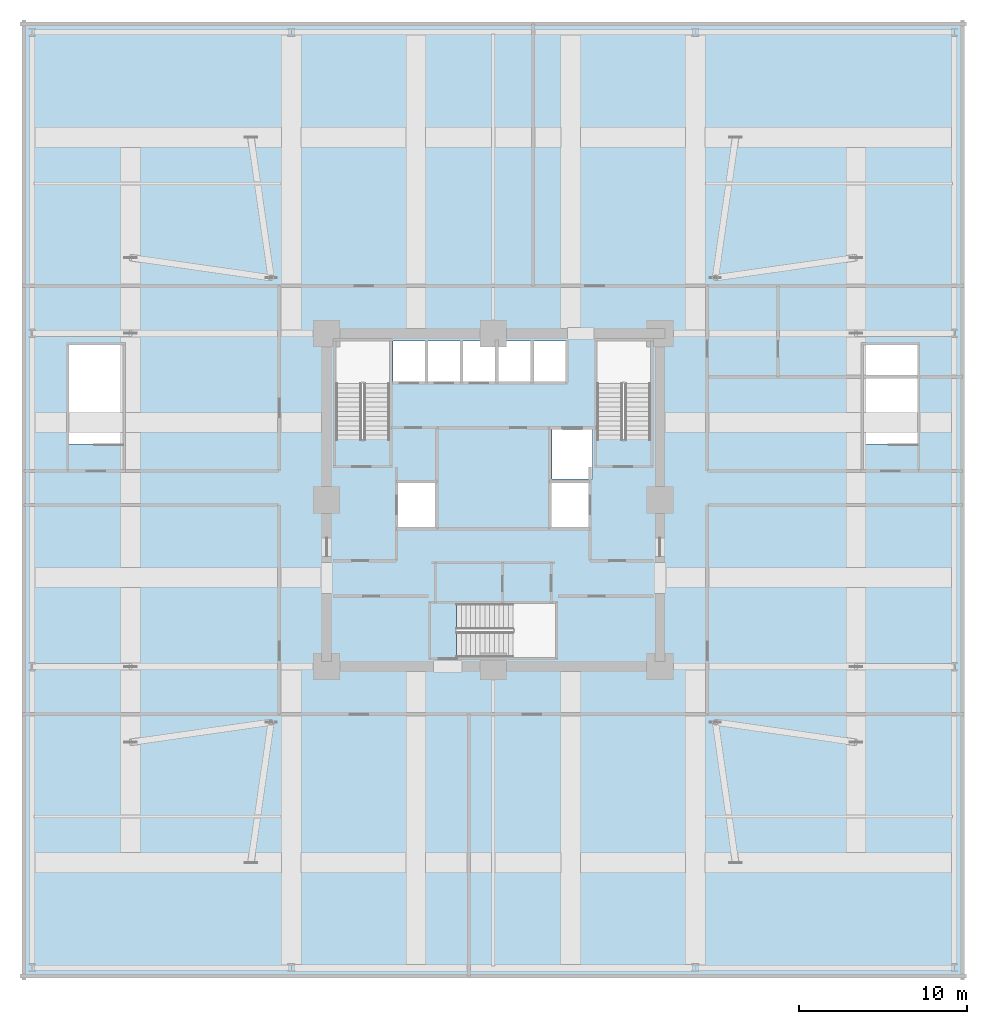
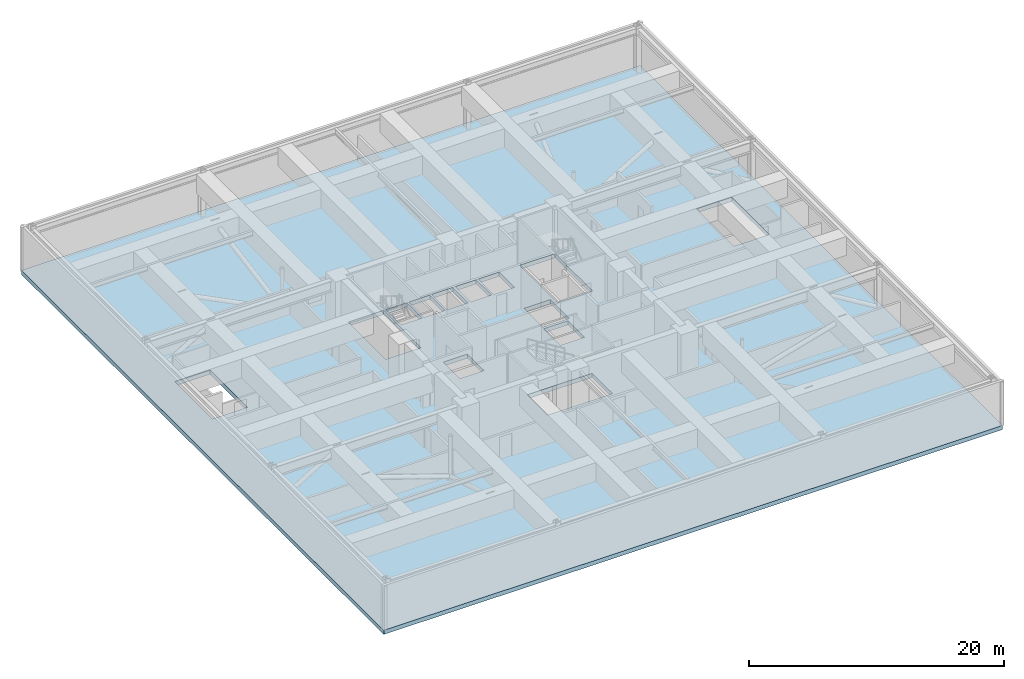
# One storey, part 10 of 16: 1 slab.
"""IFC4 building model written with IfcOpenShell, lengths in metres."""

from ifc_helpers import new_model, si_unit, direction, frame, origin, place, context, subcontext, project, spatial, polyline, outline, extrude, material, layer, layer_set, type_object, element, save


model = new_model("IFC4")

# Units and contexts
model_context = context("Model", 3, precision=1e-05, world=origin(), true_north=direction((0.0, 1.0)))
body_context = subcontext(model_context, "Body", "Model", "MODEL_VIEW")
ifc_project = project(units=[si_unit("LENGTHUNIT", "METRE"), si_unit("AREAUNIT", "SQUARE_METRE"), si_unit("VOLUMEUNIT", "CUBIC_METRE"), si_unit("PLANEANGLEUNIT", "RADIAN"), si_unit("MASSUNIT", "GRAM", prefix="KILO")], contexts=[model_context])

# Site, building, storey
site_placement = place(None, origin())
site = spatial("IfcSite", under=ifc_project, at=site_placement, CompositionType="ELEMENT")
building_placement = place(site_placement, origin())
building = spatial("IfcBuilding", under=site, at=building_placement, Name="Kolvaren Belvedere", CompositionType="ELEMENT")
storey_placement = place(building_placement, frame((0.0, 0.0, 19.300048828125)))
storey = spatial("IfcBuildingStorey", under=building, at=storey_placement, Name="L05", CompositionType="ELEMENT", Elevation=19.300048828125)

# Slab
ifc_material = material(Name="Concrete C50/60", Category="concrete")
ifc_layer = layer(ifc_material, 0.39990234375)
ifc_layer_set = layer_set([ifc_layer], Name="Concrete C50/60")
slab_type = type_object("IfcSlabType", Name="SL-FLR-400", PredefinedType="FLOOR", material=ifc_layer_set)
slab_placement = place(storey_placement, frame((0.0, 0.0, -0.400146484375)))
element("IfcSlab", 1, at=slab_placement, inside=storey, type_object=slab_type, Name="L05 Primary Structural Slab", PredefinedType="FLOOR", context=body_context, shape_type="SweptSolid", body=[
    extrude(outline(polyline([(-28.0, -28.39990234375), (28.0, -28.39990234375), (28.0, 28.39990234375), (-28.0, 28.39990234375), (-28.0, -28.39990234375)]), holes=[polyline([(-9.35009765625, 3.580078125), (-6.159912109375, 3.580078125), (-6.159912109375, 9.449951171875), (-9.35009765625, 9.449951171875), (-9.35009765625, 3.580078125)]), polyline([(6.159912109375, 3.580078125), (9.35009765625, 3.580078125), (9.35009765625, 9.449951171875), (6.159912109375, 9.449951171875), (6.159912109375, 3.580078125)]), polyline([(-2.169921875, -9.35009765625), (3.699951171875, -9.35009765625), (3.699951171875, -6.159912109375), (-2.169921875, -6.159912109375), (-2.169921875, -9.35009765625)]), polyline([(-25.199951171875, 3.330078125), (-22.010009765625, 3.330078125), (-22.010009765625, 9.199951171875), (-25.199951171875, 9.199951171875), (-25.199951171875, 3.330078125)]), polyline([(22.010009765625, 3.330078125), (25.199951171875, 3.330078125), (25.199951171875, 9.199951171875), (22.010009765625, 9.199951171875), (22.010009765625, 3.330078125)]), polyline([(-5.64990234375, -1.60009765625), (-3.449951171875, -1.60009765625), (-3.449951171875, 1.0), (-5.64990234375, 1.0), (-5.64990234375, -1.60009765625)]), polyline([(3.5, 1.25), (5.89990234375, 1.25), (5.89990234375, 4.199951171875), (3.5, 4.199951171875), (3.5, 1.25)]), polyline([(3.449951171875, -1.60009765625), (5.64990234375, -1.60009765625), (5.64990234375, 1.0), (3.449951171875, 1.0), (3.449951171875, -1.60009765625)]), polyline([(-5.9599609375, 7.050048828125), (-4.06005859375, 7.050048828125), (-4.06005859375, 9.449951171875), (-5.9599609375, 9.449951171875), (-5.9599609375, 7.050048828125)]), polyline([(-3.8798828125, 7.050048828125), (-1.97998046875, 7.050048828125), (-1.97998046875, 9.449951171875), (-3.8798828125, 9.449951171875), (-3.8798828125, 7.050048828125)]), polyline([(-1.800048828125, 7.050048828125), (0.10009765625, 7.050048828125), (0.10009765625, 9.449951171875), (-1.800048828125, 9.449951171875), (-1.800048828125, 7.050048828125)]), polyline([(0.320068359375, 7.050048828125), (2.219970703125, 7.050048828125), (2.219970703125, 9.449951171875), (0.320068359375, 9.449951171875), (0.320068359375, 7.050048828125)]), polyline([(2.39990234375, 7.050048828125), (4.300048828125, 7.050048828125), (4.300048828125, 9.449951171875), (2.39990234375, 9.449951171875), (2.39990234375, 7.050048828125)])]), origin(), (0.0, 0.0, 1.0), 0.400146484375),
])

save(model, "model.ifc")
